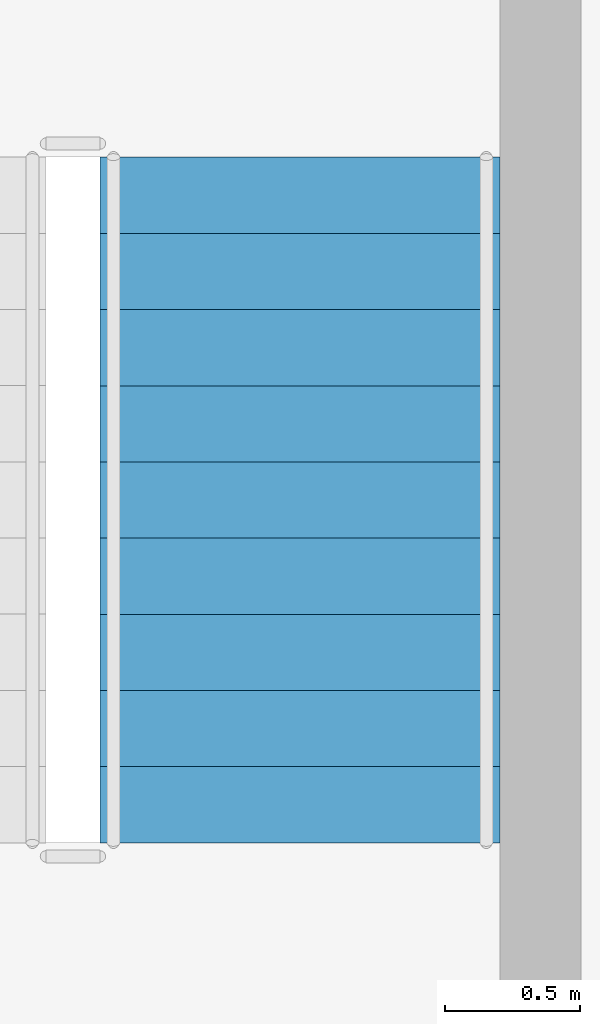
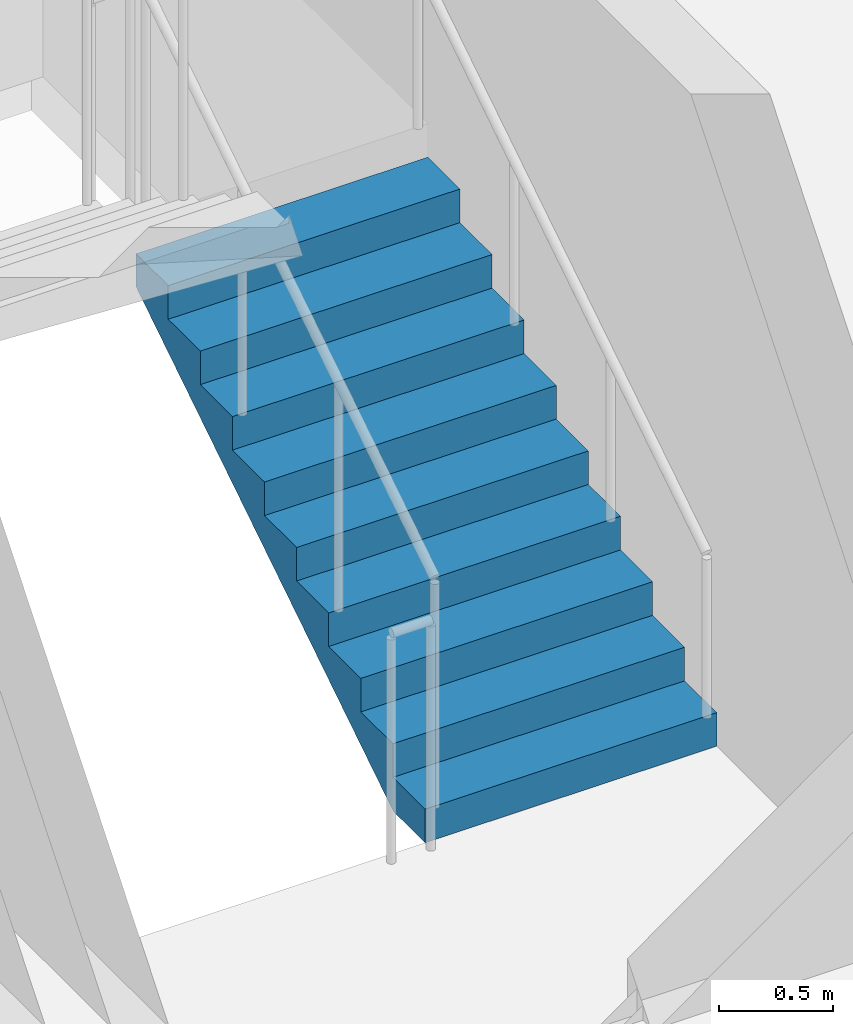
# One storey, part 6 of 7: 1 stair flight, 1 element without a shape of its own.
"""IFC4 building model written with IfcOpenShell, lengths in metres."""

from ifc_helpers import new_model, si_unit, direction, frame, origin, place, context, subcontext, project, spatial, polyline, outline, extrude, material, type_object, element, aggregate, save


model = new_model("IFC4")

# Units and contexts
model_context = context("Model", 3, precision=1e-05, world=origin(), true_north=direction((0.0, 1.0)))
body_context = subcontext(model_context, "Body", "Model", "MODEL_VIEW")
ifc_project = project(units=[si_unit("LENGTHUNIT", "METRE"), si_unit("AREAUNIT", "SQUARE_METRE"), si_unit("VOLUMEUNIT", "CUBIC_METRE"), si_unit("PLANEANGLEUNIT", "RADIAN"), si_unit("MASSUNIT", "GRAM", prefix="KILO")], contexts=[model_context])

# Site, building, storey
site_placement = place(None, origin())
site = spatial("IfcSite", under=ifc_project, at=site_placement, CompositionType="ELEMENT")
building_placement = place(site_placement, origin())
building = spatial("IfcBuilding", under=site, at=building_placement, Name="Ochreholt Gables", CompositionType="ELEMENT")
storey_placement = place(building_placement, frame((0.0, 0.0, 216.60009765625)))
storey = spatial("IfcBuildingStorey", under=building, at=storey_placement, Name="L56", CompositionType="ELEMENT", Elevation=216.60009765625)

# Stair, stair flight
ifc_material = material(Name="Concrete 40 MPa", Category="concrete")
stair_type = type_object("IfcStairType", Name="STAIR-CORE-ST-2", PredefinedType="HALF_TURN_STAIR", material=ifc_material)
stair_placement = place(storey_placement, origin())
stair = element("IfcStair", 1, at=stair_placement, inside=storey, type_object=stair_type, Name="L56 Core Exit Stair 2", PredefinedType="HALF_TURN_STAIR")
stair_flight_type = type_object("IfcStairFlightType", Name="FLIGHT-ST-1480-1800", PredefinedType="STRAIGHT", material=ifc_material)
stair_flight_placement = place(storey_placement, frame((27.340087890625, 32.4599609375, 0.0), z_axis=(0.0, 0.0, 1.0), x_axis=(0.0, 1.0, 0.0)))
stair_flight = element("IfcStairFlight", 2, at=stair_flight_placement, type_object=stair_flight_type, Name="ST-2 flight 1", NumberOfRisers=10, NumberOfTreads=9, PredefinedType="STRAIGHT", RiserHeight=0.18, TreadLength=0.282, context=body_context, shape_type="SweptSolid", body=[
    extrude(outline(polyline([(0.0, 0.0), (0.0, 0.179931640625), (0.281982421875, 0.179931640625), (0.281982421875, 0.360107421875), (0.56396484375, 0.360107421875), (0.56396484375, 0.5400390625), (0.845947265625, 0.5400390625), (0.845947265625, 0.719970703125), (1.1279296875, 0.719970703125), (1.1279296875, 0.89990234375), (1.409912109375, 0.89990234375), (1.409912109375, 1.080078125), (1.69189453125, 1.080078125), (1.69189453125, 1.260009765625), (1.97412109375, 1.260009765625), (1.97412109375, 1.43994140625), (2.256103515625, 1.43994140625), (2.256103515625, 1.6201171875), (2.5380859375, 1.6201171875), (2.5380859375, 1.800048828125), (2.5380859375, 1.442138671875), (0.278564453125, 0.0), (0.0, 0.0)])), frame((0.0, 0.739990234375, 0.0), z_axis=(0.0, -1.0, 0.0), x_axis=(1.0, 0.0, 0.0)), (0.0, 0.0, 1.0), 1.47998046875),
])
aggregate(stair, [stair_flight])

save(model, "model.ifc")
